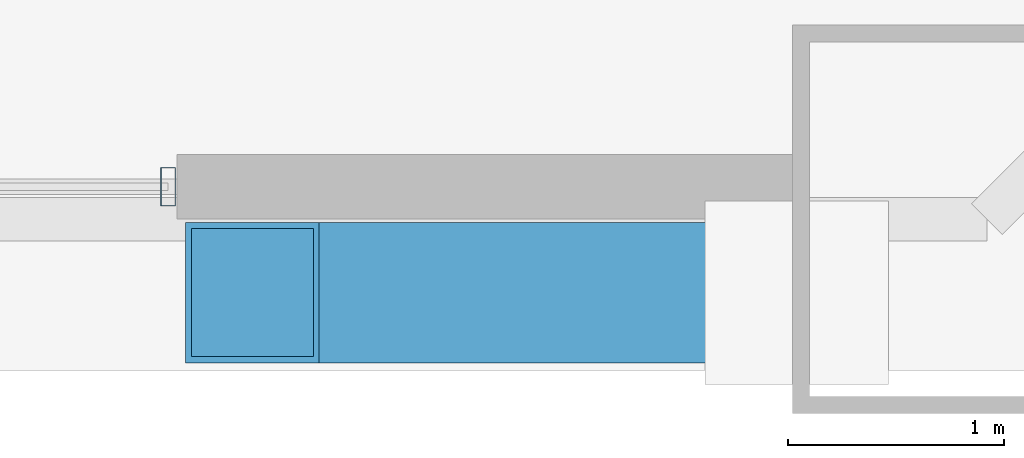
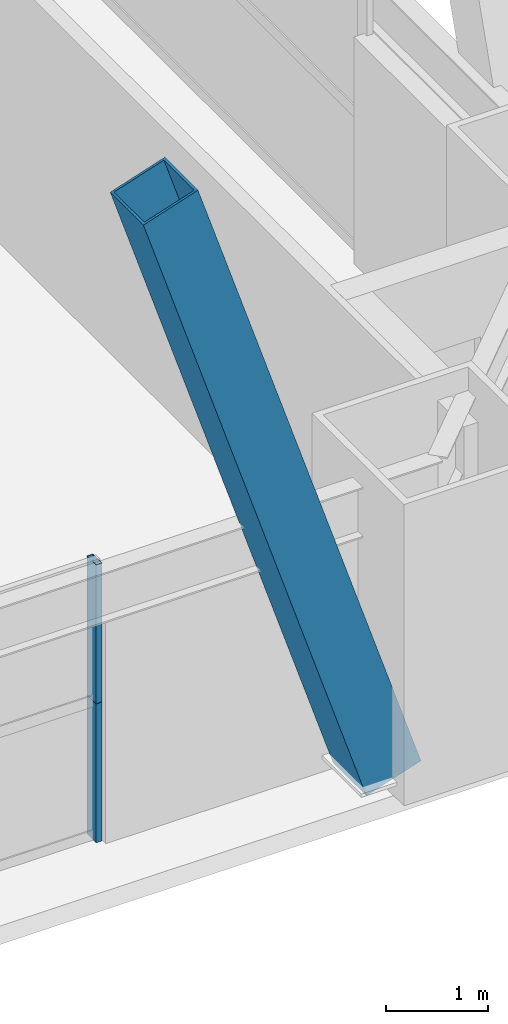
# One storey, part 15 of 43: 3 members, 1 element without a shape of its own.
"""IFC4 building model written with IfcOpenShell, lengths in metres."""

from ifc_helpers import new_model, si_unit, direction, frame, origin, origin_2d, place, context, subcontext, project, spatial, hollow_rectangle, extrude, source, transform, mapped, material, layer, layer_set, material_profile, profile_set, type_object, element, aggregate, save


model = new_model("IFC4")

# Units and contexts
model_context = context("Model", 3, precision=1e-05, world=origin(), true_north=direction((0.0, 1.0)))
body_context = subcontext(model_context, "Body", "Model", "MODEL_VIEW")
ifc_project = project(units=[si_unit("LENGTHUNIT", "METRE"), si_unit("AREAUNIT", "SQUARE_METRE"), si_unit("VOLUMEUNIT", "CUBIC_METRE"), si_unit("PLANEANGLEUNIT", "RADIAN"), si_unit("MASSUNIT", "GRAM", prefix="KILO"), si_unit("THERMODYNAMICTEMPERATUREUNIT", "KELVIN"), si_unit("POWERUNIT", "WATT")], contexts=[model_context])

# Site, building, storey
site_placement = place(None, origin())
site = spatial("IfcSite", under=ifc_project, at=site_placement, CompositionType="ELEMENT")
building_placement = place(site_placement, origin())
building = spatial("IfcBuilding", under=site, at=building_placement, Name="Yuzanri Waterfront Tower", CompositionType="ELEMENT")
storey_placement = place(building_placement, frame((0.0, 0.0, 37.800048828125)))
storey = spatial("IfcBuildingStorey", under=building, at=storey_placement, Name="L09", CompositionType="ELEMENT", Elevation=37.800048828125)

# Member
ifc_material_1 = material(Name="Steel Q420GJC", Category="steel")
ifc_material_profile_1 = material_profile(ifc_material_1, hollow_rectangle(XDim=0.64990234375, YDim=0.64990234375, WallThickness=0.028076171875, at=origin_2d()), Name="RHS 650x650x28")
ifc_profile_set_1 = profile_set([ifc_material_profile_1], Name="Steel Q420GJC")
member_type_1 = type_object("IfcMemberType", Name="Mega Brace Lower Q420GJC RHS 650x650x28", PredefinedType="BRACE", material=ifc_profile_set_1)
shared_shape_1 = source(origin(), body_context, "Body", "SweptSolid", [
    extrude(hollow_rectangle(XDim=0.64990234375, YDim=0.64990234375, WallThickness=0.028076171875, at=origin_2d()), origin(), (0.0, 0.0, 1.0), 8.101806640625),
])
member_1_placement = place(storey_placement, frame((57.6201171875, 0.360107421875, 0.179931640625), z_axis=(-0.311043019491, 0.0, 0.950395833338), x_axis=(0.0, -1.0, 0.0)))
element("IfcMember", 1, at=member_1_placement, inside=storey, type_object=member_type_1, Name="L09-L10 Perimeter Mega-Brace S-R", PredefinedType="BRACE", context=body_context, shape_type="MappedRepresentation", body=[
    mapped(shared_shape_1, transform((0.0, 0.0, 0.0), scale=1.0)),
])

# Curtain wall, members
ifc_material_2 = material(Name="Anodized Architectural Bronze", Category="metal")
ifc_layer = layer(ifc_material_2, 0.159912109375)
ifc_layer_set = layer_set([ifc_layer], Name="Anodized Architectural Bronze")
curtain_wall_type = type_object("IfcCurtainWallType", Name="Anodized Bronze Hotel Lower-Tier Recessed Unitized Curtain Wall 8100", PredefinedType="NOTDEFINED", material=ifc_layer_set)
curtain_wall_placement = place(storey_placement, origin())
curtain_wall = element("IfcCurtainWall", 2, at=curtain_wall_placement, inside=storey, type_object=curtain_wall_type, Name="L09 Curtain Wall CW-L09-SR", PredefinedType="NOTDEFINED")
ifc_material_3 = material(Name="Anodized Architectural Bronze", Category="metal")
ifc_material_profile_2 = material_profile(ifc_material_3, hollow_rectangle(XDim=0.070068359375, YDim=0.179931640625, WallThickness=0.00390625, at=origin_2d()), Name="CWM 70x180")
ifc_profile_set_2 = profile_set([ifc_material_profile_2], Name="Anodized Architectural Bronze")
member_type_2 = type_object("IfcMemberType", Name="Anodized Bronze Standard Curtain-Wall Mullion 70x180", PredefinedType="MULLION", material=ifc_profile_set_2)
shared_shape_2 = source(origin(), body_context, "Body", "SweptSolid", [
    extrude(hollow_rectangle(XDim=0.070068359375, YDim=0.179931640625, WallThickness=0.00390625, at=origin_2d()), origin(), (0.0, 0.0, 1.0), 1.657958984375),
])
member_2_placement = place(storey_placement, frame((54.7099609375, 0.85009765625, 0.0), z_axis=(0.0, 0.0, 1.0), x_axis=(1.0, 0.0, 0.0)))
member_2 = element("IfcMember", 3, at=member_2_placement, type_object=member_type_2, Name="CW-L09-SR Lower Mullion 02", PredefinedType="MULLION", context=body_context, shape_type="MappedRepresentation", body=[
    mapped(shared_shape_2, transform((0.0, 0.0, 0.0), scale=1.0)),
])
shared_shape_3 = source(origin(), body_context, "Body", "SweptSolid", [
    extrude(hollow_rectangle(XDim=0.070068359375, YDim=0.179931640625, WallThickness=0.00390625, at=origin_2d()), origin(), (0.0, 0.0, 1.0), 1.658203125),
])
member_3_placement = place(storey_placement, frame((54.7099609375, 0.85009765625, 1.661865234375), z_axis=(0.0, 0.0, 1.0), x_axis=(1.0, 0.0, 0.0)))
member_3 = element("IfcMember", 4, at=member_3_placement, type_object=member_type_2, Name="CW-L09-SR Upper Mullion 02", PredefinedType="MULLION", context=body_context, shape_type="MappedRepresentation", body=[
    mapped(shared_shape_3, transform((0.0, 0.0, 0.0), scale=1.0)),
])
aggregate(curtain_wall, [member_2, member_3])

save(model, "model.ifc")
